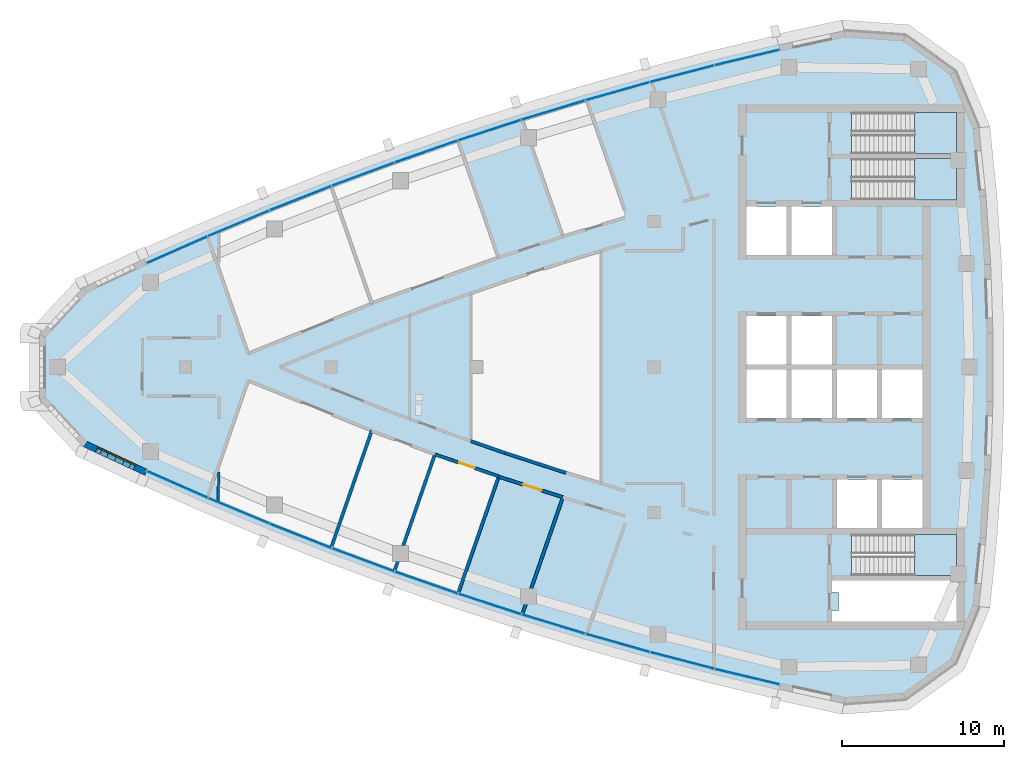
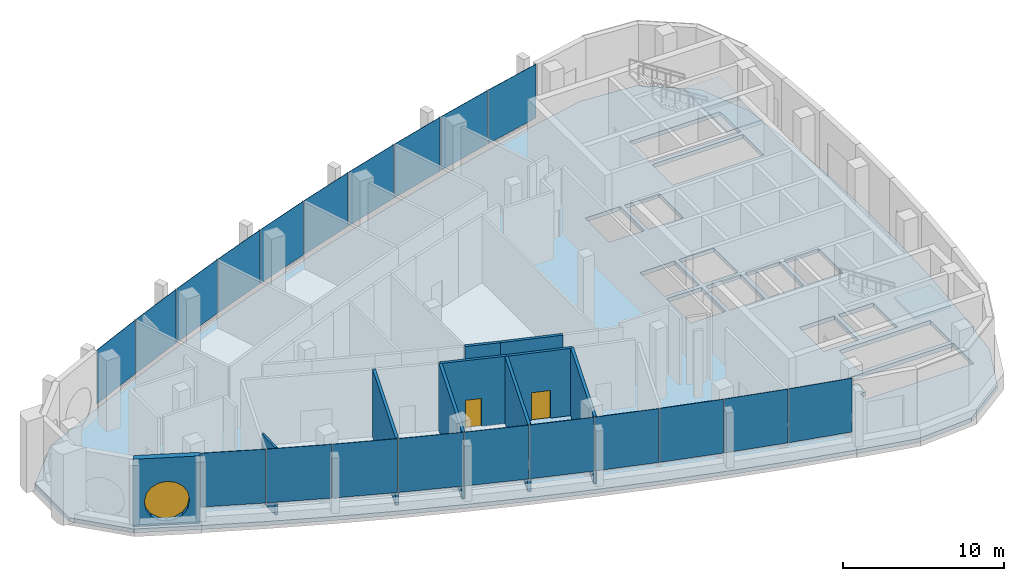
# One storey, part 6 of 15: 20 plates, 10 walls, 4 slabs, 2 doors, 1 window, 4 openings, 13 elements without a shape of their own.
"""IFC4 building model written with IfcOpenShell, lengths in metres."""

from ifc_helpers import new_model, si_unit, direction, frame, frame_2d, origin, origin_2d, place, context, subcontext, project, spatial, polyline, rectangle, outline, extrude, material, layer, layer_set, type_object, element, fill, aggregate, save


model = new_model("IFC4")

# Units and contexts
model_context = context("Model", 3, precision=1e-05, world=origin(), true_north=direction((0.0, 1.0)))
body_context = subcontext(model_context, "Body", "Model", "MODEL_VIEW")
ifc_project = project(units=[si_unit("LENGTHUNIT", "METRE"), si_unit("AREAUNIT", "SQUARE_METRE"), si_unit("VOLUMEUNIT", "CUBIC_METRE"), si_unit("PLANEANGLEUNIT", "RADIAN"), si_unit("MASSUNIT", "GRAM", prefix="KILO")], contexts=[model_context])

# Site, building, storey
site_placement = place(None, origin())
site = spatial("IfcSite", under=ifc_project, at=site_placement, CompositionType="ELEMENT")
building_placement = place(site_placement, origin())
building = spatial("IfcBuilding", under=site, at=building_placement, Name="Ostrand Prow Hotel Tower", CompositionType="ELEMENT")
storey_placement = place(building_placement, frame((0.0, 0.0, 313.199951171875)))
storey = spatial("IfcBuildingStorey", under=building, at=storey_placement, Name="C2", CompositionType="ELEMENT", Elevation=313.199951171875)

# Curtain wall, plates
ifc_material_1 = material(Name="Insulated glass in bronze anodised frame", Category="glass")
ifc_layer_1 = layer(ifc_material_1, 0.199951171875)
ifc_layer_set_1 = layer_set([ifc_layer_1], Name="Insulated glass in bronze anodised frame")
curtain_wall_type = type_object("IfcCurtainWallType", Name="Observation and restaurant glazing wall", PredefinedType="NOTDEFINED", material=ifc_layer_set_1)
curtain_wall_1_placement = place(storey_placement, origin())
curtain_wall_1 = element("IfcCurtainWall", 1, at=curtain_wall_1_placement, inside=storey, type_object=curtain_wall_type, Name="CW6 run CWS1", PredefinedType="NOTDEFINED")
ifc_material_2 = material(Name="Low-iron clear glass", Category="glass")
ifc_layer_2 = layer(ifc_material_2, 0.031982421875)
ifc_layer_set_2 = layer_set([ifc_layer_2], Name="Low-iron clear glass")
plate_type = type_object("IfcPlateType", Name="Clear glass unit 32 mm", PredefinedType="CURTAIN_PANEL", material=ifc_layer_set_2)
plate_1_placement = place(storey_placement, frame((15.493408203125, -7.259765625, 1.02001953125), z_axis=(0.0, 0.0, 1.0), x_axis=(0.914785615941, -0.403939694592, 0.0)))
plate_1 = element("IfcPlate", 2, at=plate_1_placement, type_object=plate_type, Name="CW6 PN-C panel 1.2", PredefinedType="CURTAIN_PANEL", context=body_context, shape_type="SweptSolid", body=[
    extrude(rectangle(XDim=4.079833984375, YDim=0.031982421875, at=origin_2d()), origin(), (0.0, 0.0, 1.0), 4.080078125),
])
plate_2_placement = place(storey_placement, frame((19.297119140625, -8.893798828125, 1.02001953125), z_axis=(0.0, 0.0, 1.0), x_axis=(0.922719840955, -0.385471263659, 0.0)))
plate_2 = element("IfcPlate", 3, at=plate_2_placement, type_object=plate_type, Name="CW6 PN-C panel 2.2", PredefinedType="CURTAIN_PANEL", context=body_context, shape_type="SweptSolid", body=[
    extrude(rectangle(XDim=4.079833984375, YDim=0.031982421875, at=origin_2d()), origin(), (0.0, 0.0, 1.0), 4.080078125),
])
aggregate(curtain_wall_1, [plate_1, plate_2])

curtain_wall_2_placement = place(storey_placement, origin())
curtain_wall_2 = element("IfcCurtainWall", 4, at=curtain_wall_2_placement, inside=storey, type_object=curtain_wall_type, Name="CW6 run CWS2", PredefinedType="NOTDEFINED")
plate_3_placement = place(storey_placement, frame((23.132568359375, -10.450927734375, 1.02001953125), z_axis=(0.0, 0.0, 1.0), x_axis=(0.930281895249, -0.366845465248, 0.0)))
plate_3 = element("IfcPlate", 5, at=plate_3_placement, type_object=plate_type, Name="CW6 PN-C panel 1.2", PredefinedType="CURTAIN_PANEL", context=body_context, shape_type="SweptSolid", body=[
    extrude(rectangle(XDim=4.079833984375, YDim=0.031982421875, at=origin_2d()), origin(), (0.0, 0.0, 1.0), 4.080078125),
])
plate_4_placement = place(storey_placement, frame((26.99853515625, -11.930908203125, 1.02001953125), z_axis=(0.0, 0.0, 1.0), x_axis=(0.937468017947, -0.348071422738, 0.0)))
plate_4 = element("IfcPlate", 6, at=plate_4_placement, type_object=plate_type, Name="CW6 PN-C panel 2.2", PredefinedType="CURTAIN_PANEL", context=body_context, shape_type="SweptSolid", body=[
    extrude(rectangle(XDim=4.079833984375, YDim=0.031982421875, at=origin_2d()), origin(), (0.0, 0.0, 1.0), 4.080078125),
])
aggregate(curtain_wall_2, [plate_3, plate_4])

curtain_wall_3_placement = place(storey_placement, origin())
curtain_wall_3 = element("IfcCurtainWall", 7, at=curtain_wall_3_placement, inside=storey, type_object=curtain_wall_type, Name="CW6 run CWS3", PredefinedType="NOTDEFINED")
plate_5_placement = place(storey_placement, frame((30.8935546875, -13.33251953125, 1.02001953125), z_axis=(0.0, 0.0, 1.0), x_axis=(0.944274730614, -0.329158370885, 0.0)))
plate_5 = element("IfcPlate", 8, at=plate_5_placement, type_object=plate_type, Name="CW6 PN-C panel 1.2", PredefinedType="CURTAIN_PANEL", context=body_context, shape_type="SweptSolid", body=[
    extrude(rectangle(XDim=4.079833984375, YDim=0.031982421875, at=origin_2d()), origin(), (0.0, 0.0, 1.0), 4.080078125),
])
plate_6_placement = place(storey_placement, frame((34.81591796875, -14.65576171875, 1.02001953125), z_axis=(0.0, 0.0, 1.0), x_axis=(0.950700464612, -0.310110668289, 0.0)))
plate_6 = element("IfcPlate", 9, at=plate_6_placement, type_object=plate_type, Name="CW6 PN-C panel 2.2", PredefinedType="CURTAIN_PANEL", context=body_context, shape_type="SweptSolid", body=[
    extrude(rectangle(XDim=4.079833984375, YDim=0.031982421875, at=origin_2d()), origin(), (0.0, 0.0, 1.0), 4.080078125),
])
aggregate(curtain_wall_3, [plate_5, plate_6])

curtain_wall_4_placement = place(storey_placement, origin())
curtain_wall_4 = element("IfcCurtainWall", 10, at=curtain_wall_4_placement, inside=storey, type_object=curtain_wall_type, Name="CW6 run CWS4", PredefinedType="NOTDEFINED")
plate_7_placement = place(storey_placement, frame((38.76416015625, -15.89990234375, 1.02001953125), z_axis=(0.0, 0.0, 1.0), x_axis=(0.956742015769, -0.290937648411, 0.0)))
plate_7 = element("IfcPlate", 11, at=plate_7_placement, type_object=plate_type, Name="CW6 PN-C panel 1.2", PredefinedType="CURTAIN_PANEL", context=body_context, shape_type="SweptSolid", body=[
    extrude(rectangle(XDim=4.079833984375, YDim=0.031982421875, at=origin_2d()), origin(), (0.0, 0.0, 1.0), 4.080078125),
])
plate_8_placement = place(storey_placement, frame((42.736572265625, -17.064453125, 1.02001953125), z_axis=(0.0, 0.0, 1.0), x_axis=(0.962396468548, -0.271648738865, 0.0)))
plate_8 = element("IfcPlate", 12, at=plate_8_placement, type_object=plate_type, Name="CW6 PN-C panel 2.2", PredefinedType="CURTAIN_PANEL", context=body_context, shape_type="SweptSolid", body=[
    extrude(rectangle(XDim=4.079833984375, YDim=0.031982421875, at=origin_2d()), origin(), (0.0, 0.0, 1.0), 4.080078125),
])
aggregate(curtain_wall_4, [plate_7, plate_8])

curtain_wall_5_placement = place(storey_placement, origin())
curtain_wall_5 = element("IfcCurtainWall", 13, at=curtain_wall_5_placement, inside=storey, type_object=curtain_wall_type, Name="CW6 run CWS5", PredefinedType="NOTDEFINED")
plate_9_placement = place(storey_placement, frame((46.731689453125, -18.148681640625, 1.02001953125), z_axis=(0.0, 0.0, 1.0), x_axis=(0.967662519855, -0.252248384867, 0.0)))
plate_9 = element("IfcPlate", 14, at=plate_9_placement, type_object=plate_type, Name="CW6 PN-C panel 1.2", PredefinedType="CURTAIN_PANEL", context=body_context, shape_type="SweptSolid", body=[
    extrude(rectangle(XDim=4.079833984375, YDim=0.031982421875, at=origin_2d()), origin(), (0.0, 0.0, 1.0), 4.080078125),
])
plate_10_placement = place(storey_placement, frame((50.74755859375, -19.152587890625, 1.02001953125), z_axis=(0.0, 0.0, 1.0), x_axis=(0.972537533869, -0.232746096028, 0.0)))
plate_10 = element("IfcPlate", 15, at=plate_10_placement, type_object=plate_type, Name="CW6 PN-C panel 2.2", PredefinedType="CURTAIN_PANEL", context=body_context, shape_type="SweptSolid", body=[
    extrude(rectangle(XDim=4.079833984375, YDim=0.031982421875, at=origin_2d()), origin(), (0.0, 0.0, 1.0), 4.080078125),
])
aggregate(curtain_wall_5, [plate_9, plate_10])

curtain_wall_6_placement = place(storey_placement, origin())
curtain_wall_6 = element("IfcCurtainWall", 16, at=curtain_wall_6_placement, inside=storey, type_object=curtain_wall_type, Name="CW6 run CWN1", PredefinedType="NOTDEFINED")
plate_11_placement = place(storey_placement, frame((50.74755859375, 19.152587890625, 1.02001953125), z_axis=(0.0, 0.0, 1.0), x_axis=(-0.972537533869, -0.232746096028, 0.0)))
plate_11 = element("IfcPlate", 17, at=plate_11_placement, type_object=plate_type, Name="CW6 PN-C panel 1.2", PredefinedType="CURTAIN_PANEL", context=body_context, shape_type="SweptSolid", body=[
    extrude(rectangle(XDim=4.079833984375, YDim=0.031982421875, at=origin_2d()), origin(), (0.0, 0.0, 1.0), 4.080078125),
])
plate_12_placement = place(storey_placement, frame((46.731689453125, 18.148681640625, 1.02001953125), z_axis=(0.0, 0.0, 1.0), x_axis=(-0.967662519855, -0.252248384867, 0.0)))
plate_12 = element("IfcPlate", 18, at=plate_12_placement, type_object=plate_type, Name="CW6 PN-C panel 2.2", PredefinedType="CURTAIN_PANEL", context=body_context, shape_type="SweptSolid", body=[
    extrude(rectangle(XDim=4.079833984375, YDim=0.031982421875, at=origin_2d()), origin(), (0.0, 0.0, 1.0), 4.080078125),
])
aggregate(curtain_wall_6, [plate_11, plate_12])

curtain_wall_7_placement = place(storey_placement, origin())
curtain_wall_7 = element("IfcCurtainWall", 19, at=curtain_wall_7_placement, inside=storey, type_object=curtain_wall_type, Name="CW6 run CWN2", PredefinedType="NOTDEFINED")
plate_13_placement = place(storey_placement, frame((42.736572265625, 17.064453125, 1.02001953125), z_axis=(0.0, 0.0, 1.0), x_axis=(-0.962396468548, -0.271648738865, 0.0)))
plate_13 = element("IfcPlate", 20, at=plate_13_placement, type_object=plate_type, Name="CW6 PN-C panel 1.2", PredefinedType="CURTAIN_PANEL", context=body_context, shape_type="SweptSolid", body=[
    extrude(rectangle(XDim=4.079833984375, YDim=0.031982421875, at=origin_2d()), origin(), (0.0, 0.0, 1.0), 4.080078125),
])
plate_14_placement = place(storey_placement, frame((38.76416015625, 15.89990234375, 1.02001953125), z_axis=(0.0, 0.0, 1.0), x_axis=(-0.956742015769, -0.290937648411, 0.0)))
plate_14 = element("IfcPlate", 21, at=plate_14_placement, type_object=plate_type, Name="CW6 PN-C panel 2.2", PredefinedType="CURTAIN_PANEL", context=body_context, shape_type="SweptSolid", body=[
    extrude(rectangle(XDim=4.079833984375, YDim=0.031982421875, at=origin_2d()), origin(), (0.0, 0.0, 1.0), 4.080078125),
])
aggregate(curtain_wall_7, [plate_13, plate_14])

curtain_wall_8_placement = place(storey_placement, origin())
curtain_wall_8 = element("IfcCurtainWall", 22, at=curtain_wall_8_placement, inside=storey, type_object=curtain_wall_type, Name="CW6 run CWN3", PredefinedType="NOTDEFINED")
plate_15_placement = place(storey_placement, frame((34.81591796875, 14.65576171875, 1.02001953125), z_axis=(0.0, 0.0, 1.0), x_axis=(-0.950700464612, -0.310110668289, 0.0)))
plate_15 = element("IfcPlate", 23, at=plate_15_placement, type_object=plate_type, Name="CW6 PN-C panel 1.2", PredefinedType="CURTAIN_PANEL", context=body_context, shape_type="SweptSolid", body=[
    extrude(rectangle(XDim=4.079833984375, YDim=0.031982421875, at=origin_2d()), origin(), (0.0, 0.0, 1.0), 4.080078125),
])
plate_16_placement = place(storey_placement, frame((30.8935546875, 13.33251953125, 1.02001953125), z_axis=(0.0, 0.0, 1.0), x_axis=(-0.944274730614, -0.329158370885, 0.0)))
plate_16 = element("IfcPlate", 24, at=plate_16_placement, type_object=plate_type, Name="CW6 PN-C panel 2.2", PredefinedType="CURTAIN_PANEL", context=body_context, shape_type="SweptSolid", body=[
    extrude(rectangle(XDim=4.079833984375, YDim=0.031982421875, at=origin_2d()), origin(), (0.0, 0.0, 1.0), 4.080078125),
])
aggregate(curtain_wall_8, [plate_15, plate_16])

curtain_wall_9_placement = place(storey_placement, origin())
curtain_wall_9 = element("IfcCurtainWall", 25, at=curtain_wall_9_placement, inside=storey, type_object=curtain_wall_type, Name="CW6 run CWN4", PredefinedType="NOTDEFINED")
plate_17_placement = place(storey_placement, frame((26.99853515625, 11.930908203125, 1.02001953125), z_axis=(0.0, 0.0, 1.0), x_axis=(-0.937468017947, -0.348071422738, 0.0)))
plate_17 = element("IfcPlate", 26, at=plate_17_placement, type_object=plate_type, Name="CW6 PN-C panel 1.2", PredefinedType="CURTAIN_PANEL", context=body_context, shape_type="SweptSolid", body=[
    extrude(rectangle(XDim=4.079833984375, YDim=0.031982421875, at=origin_2d()), origin(), (0.0, 0.0, 1.0), 4.080078125),
])
plate_18_placement = place(storey_placement, frame((23.132568359375, 10.450927734375, 1.02001953125), z_axis=(0.0, 0.0, 1.0), x_axis=(-0.930281895249, -0.366845465248, 0.0)))
plate_18 = element("IfcPlate", 27, at=plate_18_placement, type_object=plate_type, Name="CW6 PN-C panel 2.2", PredefinedType="CURTAIN_PANEL", context=body_context, shape_type="SweptSolid", body=[
    extrude(rectangle(XDim=4.079833984375, YDim=0.031982421875, at=origin_2d()), origin(), (0.0, 0.0, 1.0), 4.080078125),
])
aggregate(curtain_wall_9, [plate_17, plate_18])

curtain_wall_10_placement = place(storey_placement, origin())
curtain_wall_10 = element("IfcCurtainWall", 28, at=curtain_wall_10_placement, inside=storey, type_object=curtain_wall_type, Name="CW6 run CWN5", PredefinedType="NOTDEFINED")
plate_19_placement = place(storey_placement, frame((19.297119140625, 8.893798828125, 1.02001953125), z_axis=(0.0, 0.0, 1.0), x_axis=(-0.922719840955, -0.385471263659, 0.0)))
plate_19 = element("IfcPlate", 29, at=plate_19_placement, type_object=plate_type, Name="CW6 PN-C panel 1.2", PredefinedType="CURTAIN_PANEL", context=body_context, shape_type="SweptSolid", body=[
    extrude(rectangle(XDim=4.079833984375, YDim=0.031982421875, at=origin_2d()), origin(), (0.0, 0.0, 1.0), 4.080078125),
])
plate_20_placement = place(storey_placement, frame((15.493408203125, 7.259765625, 1.02001953125), z_axis=(0.0, 0.0, 1.0), x_axis=(-0.914785615941, -0.403939694592, 0.0)))
plate_20 = element("IfcPlate", 30, at=plate_20_placement, type_object=plate_type, Name="CW6 PN-C panel 2.2", PredefinedType="CURTAIN_PANEL", context=body_context, shape_type="SweptSolid", body=[
    extrude(rectangle(XDim=4.079833984375, YDim=0.031982421875, at=origin_2d()), origin(), (0.0, 0.0, 1.0), 4.080078125),
])
aggregate(curtain_wall_10, [plate_19, plate_20])

# Slab, opening
ifc_material_3 = material(Name="Concrete C40/50", Category="concrete")
ifc_layer_3 = layer(ifc_material_3, 0.300048828125)
ifc_layer_set_3 = layer_set([ifc_layer_3], Name="Concrete C40/50")
slab_type_1 = type_object("IfcSlabType", Name="PT flat plate 300 C40/50", PredefinedType="FLOOR", material=ifc_layer_set_3)
slab_1_placement = place(storey_placement, frame((0.0, 0.0, -0.300048828125)))
slab_1 = element("IfcSlab", 31, at=slab_1_placement, inside=storey, type_object=slab_type_1, Name="Floor slab C2-1", PredefinedType="FLOOR", context=body_context, shape_type="SweptSolid", body=[
    extrude(outline(polyline([(9.560791015625, 5.168212890625), (13.365478515625, 6.9404296875), (17.1630859375, 8.6171875), (20.993408203125, 10.21728515625), (24.855224609375, 11.740234375), (28.746826171875, 13.185302734375), (32.666748046875, 14.551513671875), (36.61328125, 15.8388671875), (40.5849609375, 17.046630859375), (44.580078125, 18.17431640625), (48.596923828125, 19.221435546875), (52.634033203125, 20.187744140625), (56.72265625, 21.07958984375), (60.634765625, 20.80029296875), (63.84765625, 18.49072265625), (65.35888671875, 14.87060546875), (65.796875, 10.611083984375), (66.0869140625, 6.37158203125), (66.23193359375, 2.124755859375), (66.23193359375, -2.124755859375), (66.0869140625, -6.37158203125), (65.796875, -10.611083984375), (65.35888671875, -14.87060546875), (63.84765625, -18.49072265625), (60.634765625, -20.80029296875), (56.72265625, -21.07958984375), (52.634033203125, -20.187744140625), (48.596923828125, -19.221435546875), (44.580078125, -18.17431640625), (40.5849609375, -17.046630859375), (36.61328125, -15.8388671875), (32.666748046875, -14.551513671875), (28.746826171875, -13.185302734375), (24.855224609375, -11.740234375), (20.993408203125, -10.21728515625), (17.1630859375, -8.6171875), (13.365478515625, -6.9404296875), (9.560791015625, -5.168212890625), (6.71484375, -2.112548828125), (6.71484375, 2.112548828125), (9.560791015625, 5.168212890625)]), holes=[polyline([(50.699951171875, 6.949951171875), (53.199951171875, 6.949951171875), (53.199951171875, 9.949951171875), (50.699951171875, 9.949951171875), (50.699951171875, 6.949951171875)]), polyline([(53.5, 6.949951171875), (56.0, 6.949951171875), (56.0, 9.949951171875), (53.5, 9.949951171875), (53.5, 6.949951171875)]), polyline([(50.699951171875, 0.14990234375), (53.199951171875, 0.14990234375), (53.199951171875, 3.14990234375), (50.699951171875, 3.14990234375), (50.699951171875, 0.14990234375)]), polyline([(53.5, 0.14990234375), (56.0, 0.14990234375), (56.0, 3.14990234375), (53.5, 3.14990234375), (53.5, 0.14990234375)]), polyline([(50.699951171875, -3.14990234375), (53.199951171875, -3.14990234375), (53.199951171875, -0.14990234375), (50.699951171875, -0.14990234375), (50.699951171875, -3.14990234375)]), polyline([(53.5, -3.14990234375), (56.0, -3.14990234375), (56.0, -0.14990234375), (53.5, -0.14990234375), (53.5, -3.14990234375)]), polyline([(56.300048828125, -3.14990234375), (58.800048828125, -3.14990234375), (58.800048828125, -0.14990234375), (56.300048828125, -0.14990234375), (56.300048828125, -3.14990234375)]), polyline([(59.10009765625, -3.14990234375), (61.60009765625, -3.14990234375), (61.60009765625, -0.14990234375), (59.10009765625, -0.14990234375), (59.10009765625, -3.14990234375)]), polyline([(56.300048828125, -9.949951171875), (58.800048828125, -9.949951171875), (58.800048828125, -6.949951171875), (56.300048828125, -6.949951171875), (56.300048828125, -9.949951171875)]), polyline([(59.10009765625, -9.949951171875), (61.60009765625, -9.949951171875), (61.60009765625, -6.949951171875), (59.10009765625, -6.949951171875), (59.10009765625, -9.949951171875)]), polyline([(57.200927734375, 10.35107421875), (57.200927734375, 12.89892578125), (63.718994140625, 12.89892578125), (63.718994140625, 10.35107421875), (57.200927734375, 10.35107421875)]), polyline([(57.200927734375, 13.200927734375), (57.200927734375, 15.7490234375), (63.718994140625, 15.7490234375), (63.718994140625, 13.200927734375), (57.200927734375, 13.200927734375)]), polyline([(57.200927734375, -12.89892578125), (57.200927734375, -10.35107421875), (63.718994140625, -10.35107421875), (63.718994140625, -12.89892578125), (57.200927734375, -12.89892578125)]), polyline([(56.0, -13.949951171875), (56.0, -13.199951171875), (63.719970703125, -13.199951171875), (63.719970703125, -15.75), (56.0, -15.75), (56.0, -15.050048828125), (56.39990234375, -15.050048828125), (56.39990234375, -13.949951171875), (56.0, -13.949951171875)])]), origin(), (0.0, 0.0, 1.0), 0.300048828125),
])
opening_1_placement = place(slab_1_placement, origin())
element("IfcOpeningElement", 32, at=opening_1_placement, cuts=slab_1, Name="Shaft opening 1", PredefinedType="OPENING", context=body_context, shape_type="SweptSolid", body=[
    extrude(outline(polyline([(56.0, -13.949951171875), (56.0, -13.199951171875), (63.719970703125, -13.199951171875), (63.719970703125, -15.75), (56.0, -15.75), (56.0, -15.050048828125), (56.39990234375, -15.050048828125), (56.39990234375, -13.949951171875), (56.0, -13.949951171875)])), origin(), (0.0, 0.0, 1.0), 0.300048828125),
])

# Stair, slab
ifc_material_4 = material(Name="Concrete C40/50", Category="concrete")
stair_type = type_object("IfcStairType", Name="Exit stair 1200 upper zone", PredefinedType="HALF_TURN_STAIR", material=ifc_material_4)
stair_1_placement = place(storey_placement, origin())
stair_1 = element("IfcStair", 33, at=stair_1_placement, inside=storey, type_object=stair_type, Name="C2 ST1C", PredefinedType="HALF_TURN_STAIR")
ifc_material_5 = material(Name="Concrete C40/50", Category="concrete")
ifc_layer_4 = layer(ifc_material_5, 0.199951171875)
ifc_layer_set_4 = layer_set([ifc_layer_4], Name="Concrete C40/50")
slab_type_2 = type_object("IfcSlabType", Name="Stair landing 200 concrete", PredefinedType="LANDING", material=ifc_layer_set_4)
slab_2_placement = place(storey_placement, frame((0.0, 0.0, 2.5)))
slab_2 = element("IfcSlab", 34, at=slab_2_placement, type_object=slab_type_2, Name="ST1C landing 1", PredefinedType="LANDING", context=body_context, shape_type="SweptSolid", body=[
    extrude(outline(polyline([(61.1201171875, 10.35009765625), (63.719970703125, 10.35009765625), (63.719970703125, 12.89990234375), (61.1201171875, 12.89990234375), (61.1201171875, 10.35009765625)])), origin(), (0.0, 0.0, 1.0), 0.199951171875),
])
aggregate(stair_1, [slab_2])

stair_2_placement = place(storey_placement, origin())
stair_2 = element("IfcStair", 35, at=stair_2_placement, inside=storey, type_object=stair_type, Name="C2 ST3C", PredefinedType="HALF_TURN_STAIR")
slab_3_placement = place(storey_placement, frame((0.0, 0.0, 2.5)))
slab_3 = element("IfcSlab", 36, at=slab_3_placement, type_object=slab_type_2, Name="ST3C landing 1", PredefinedType="LANDING", context=body_context, shape_type="SweptSolid", body=[
    extrude(outline(polyline([(61.1201171875, 13.199951171875), (63.719970703125, 13.199951171875), (63.719970703125, 15.75), (61.1201171875, 15.75), (61.1201171875, 13.199951171875)])), origin(), (0.0, 0.0, 1.0), 0.199951171875),
])
aggregate(stair_2, [slab_3])

stair_3_placement = place(storey_placement, origin())
stair_3 = element("IfcStair", 37, at=stair_3_placement, inside=storey, type_object=stair_type, Name="C2 ST2C", PredefinedType="HALF_TURN_STAIR")
slab_4_placement = place(storey_placement, frame((0.0, 0.0, 2.5)))
slab_4 = element("IfcSlab", 38, at=slab_4_placement, type_object=slab_type_2, Name="ST2C landing 1", PredefinedType="LANDING", context=body_context, shape_type="SweptSolid", body=[
    extrude(outline(polyline([(61.1201171875, -12.89990234375), (63.719970703125, -12.89990234375), (63.719970703125, -10.35009765625), (61.1201171875, -10.35009765625), (61.1201171875, -12.89990234375)])), origin(), (0.0, 0.0, 1.0), 0.199951171875),
])
aggregate(stair_3, [slab_4])

# Wall
ifc_material_6 = material(Name="Plasterboard partition")
ifc_layer_5 = layer(ifc_material_6, 0.14990234375)
ifc_layer_set_5 = layer_set([ifc_layer_5], Name="Plasterboard partition")
wall_type_1 = type_object("IfcWallType", Name="Partition 150 room partition", PredefinedType="PARTITIONING", material=ifc_layer_set_5)
wall_1_placement = place(storey_placement, frame((18.071533203125, -6.51123046875, 0.0), z_axis=(0.0, 0.0, 1.0), x_axis=(-0.031386501995, -0.999507322381, 0.0)))
element("IfcWall", 39, at=wall_1_placement, inside=storey, type_object=wall_type_1, Name="ROOM PARTITION", PredefinedType="PARTITIONING", context=body_context, shape_type="SweptSolid", body=[
    extrude(rectangle(XDim=1.758056640625, YDim=0.14990234375, at=frame_2d((0.87890625, 0.0))), origin(), (0.0, 0.0, 1.0), 5.10009765625),
])

# Wall, opening, door
ifc_material_7 = material(Name="Plasterboard partition")
ifc_layer_6 = layer(ifc_material_7, 0.199951171875)
ifc_layer_set_6 = layer_set([ifc_layer_6], Name="Plasterboard partition")
wall_type_2 = type_object("IfcWallType", Name="Partition 200 corridor wall", PredefinedType="PARTITIONING", material=ifc_layer_set_6)
wall_2_placement = place(storey_placement, frame((31.43408203125, -5.404052734375, 0.0), z_axis=(0.0, 0.0, 1.0), x_axis=(0.945814630363, -0.324707075672, 0.0)))
wall_2 = element("IfcWall", 40, at=wall_2_placement, inside=storey, type_object=wall_type_2, Name="CORRIDOR WALL", PredefinedType="PARTITIONING", context=body_context, shape_type="SweptSolid", body=[
    extrude(rectangle(XDim=4.17431640625, YDim=0.199951171875, at=frame_2d((2.087158203125, 0.0))), origin(), (0.0, 0.0, 1.0), 5.10009765625),
])
opening_2_placement = place(wall_2_placement, frame((1.587158203125, 0.0, 0.0)))
opening_2 = element("IfcOpeningElement", 41, at=opening_2_placement, cuts=wall_2, Name="Opening D1R", PredefinedType="OPENING", context=body_context, shape_type="SweptSolid", body=[
    extrude(rectangle(XDim=1.0, YDim=2.10009765625, at=frame_2d((0.5, 1.050048828125))), frame((0.0, 0.10986328125, 0.0), z_axis=(0.0, -1.0, 0.0), x_axis=(1.0, 0.0, 0.0)), (0.0, 0.0, 1.0), 0.219970703125),
])
ifc_material_8 = material(Name="Timber door leaf", Category="wood")
door_type_1 = type_object("IfcDoorType", Name="Guest room door 1000 right", OperationType="SINGLE_SWING_RIGHT", PredefinedType="DOOR", material=ifc_material_8)
door_1_placement = place(opening_2_placement, origin())
door_1 = element("IfcDoor", 42, at=door_1_placement, inside=storey, type_object=door_type_1, Name="DOOR", OperationType="SINGLE_SWING_RIGHT", OverallHeight=2.10009765625, OverallWidth=1.0, PredefinedType="DOOR", context=body_context, shape_type="SweptSolid", body=[
    extrude(rectangle(XDim=1.0, YDim=2.10009765625, at=frame_2d((0.5, 1.050048828125))), frame((0.0, 0.02490234375, 0.0), z_axis=(0.0, -1.0, 0.0), x_axis=(1.0, 0.0, 0.0)), (0.0, 0.0, 1.0), 0.050048828125),
])
fill(opening_2, door_1)

wall_3_placement = place(storey_placement, frame((35.375732421875, -6.778564453125, 0.0), z_axis=(0.0, 0.0, 1.0), x_axis=(0.952572699992, -0.304311109278, 0.0)))
wall_3 = element("IfcWall", 43, at=wall_3_placement, inside=storey, type_object=wall_type_2, Name="CORRIDOR WALL", PredefinedType="PARTITIONING", context=body_context, shape_type="SweptSolid", body=[
    extrude(rectangle(XDim=4.17578125, YDim=0.199951171875, at=frame_2d((2.087890625, 0.0))), origin(), (0.0, 0.0, 1.0), 5.10009765625),
])
opening_3_placement = place(wall_3_placement, frame((1.587890625, 0.0, 0.0)))
opening_3 = element("IfcOpeningElement", 44, at=opening_3_placement, cuts=wall_3, Name="Opening D12", PredefinedType="OPENING", context=body_context, shape_type="SweptSolid", body=[
    extrude(rectangle(XDim=1.199951171875, YDim=2.10009765625, at=frame_2d((0.60009765625, 1.050048828125))), frame((0.0, 0.10986328125, 0.0), z_axis=(0.0, -1.0, 0.0), x_axis=(1.0, 0.0, 0.0)), (0.0, 0.0, 1.0), 0.219970703125),
])
ifc_material_9 = material(Name="Steel service door", Category="steel")
door_type_2 = type_object("IfcDoorType", Name="Service door 1200", OperationType="SINGLE_SWING_RIGHT", PredefinedType="DOOR", material=ifc_material_9)
door_2_placement = place(opening_3_placement, origin())
door_2 = element("IfcDoor", 45, at=door_2_placement, inside=storey, type_object=door_type_2, Name="DOOR", OperationType="SINGLE_SWING_RIGHT", OverallHeight=2.10009765625, OverallWidth=1.199951171875, PredefinedType="DOOR", context=body_context, shape_type="SweptSolid", body=[
    extrude(rectangle(XDim=1.199951171875, YDim=2.10009765625, at=frame_2d((0.60009765625, 1.050048828125))), frame((0.0, 0.02490234375, 0.0), z_axis=(0.0, -1.0, 0.0), x_axis=(1.0, 0.0, 0.0)), (0.0, 0.0, 1.0), 0.050048828125),
])
fill(opening_3, door_2)

# Walls
wall_4_placement = place(storey_placement, frame((39.543701171875, -6.539306640625, 0.0), z_axis=(0.0, 0.0, 1.0), x_axis=(-0.950700567571, 0.310110352648, 0.0)))
element("IfcWall", 46, at=wall_4_placement, inside=storey, type_object=wall_type_2, Name="CORRIDOR WALL", PredefinedType="PARTITIONING", context=body_context, shape_type="SweptSolid", body=[
    extrude(rectangle(XDim=3.955322265625, YDim=0.199951171875, at=frame_2d((1.9775390625, 0.0))), origin(), (0.0, 0.0, 1.0), 5.10009765625),
])
wall_5_placement = place(storey_placement, frame((35.783447265625, -5.312744140625, 0.0), z_axis=(0.0, 0.0, 1.0), x_axis=(-0.944267445695, 0.329179268788, 0.0)))
element("IfcWall", 47, at=wall_5_placement, inside=storey, type_object=wall_type_2, Name="CORRIDOR WALL", PredefinedType="PARTITIONING", context=body_context, shape_type="SweptSolid", body=[
    extrude(rectangle(XDim=2.2568359375, YDim=0.199951171875, at=frame_2d((1.12841796875, 0.0))), origin(), (0.0, 0.0, 1.0), 5.10009765625),
])
ifc_material_10 = material(Name="Plasterboard partition")
ifc_layer_7 = layer(ifc_material_10, 0.199951171875)
ifc_layer_set_7 = layer_set([ifc_layer_7], Name="Plasterboard partition")
wall_type_3 = type_object("IfcWallType", Name="Partition 200 key partition", PredefinedType="PARTITIONING", material=ifc_layer_set_7)
wall_6_placement = place(storey_placement, frame((25.03759765625, -11.113525390625, 0.0), z_axis=(0.0, 0.0, 1.0), x_axis=(0.327730022722, 0.944771417966, 0.0)))
element("IfcWall", 48, at=wall_6_placement, inside=storey, type_object=wall_type_3, Name="KEY PARTITION", PredefinedType="PARTITIONING", context=body_context, shape_type="SweptSolid", body=[
    extrude(rectangle(XDim=7.606689453125, YDim=0.199951171875, at=frame_2d((3.80322265625, 0.0))), origin(), (0.0, 0.0, 1.0), 5.10009765625),
])
wall_7_placement = place(storey_placement, frame((28.949462890625, -12.567138671875, 0.0), z_axis=(0.0, 0.0, 1.0), x_axis=(0.327746961166, 0.944765542051, 0.0)))
element("IfcWall", 49, at=wall_7_placement, inside=storey, type_object=wall_type_3, Name="KEY PARTITION", PredefinedType="PARTITIONING", context=body_context, shape_type="SweptSolid", body=[
    extrude(rectangle(XDim=7.601806640625, YDim=0.199951171875, at=frame_2d((3.80078125, 0.0))), origin(), (0.0, 0.0, 1.0), 5.10009765625),
])
wall_8_placement = place(storey_placement, frame((32.891357421875, -13.941162109375, 0.0), z_axis=(0.0, 0.0, 1.0), x_axis=(0.327699570064, 0.944781981083, 0.0)))
element("IfcWall", 50, at=wall_8_placement, inside=storey, type_object=wall_type_3, Name="KEY PARTITION", PredefinedType="PARTITIONING", context=body_context, shape_type="SweptSolid", body=[
    extrude(rectangle(XDim=7.601318359375, YDim=0.199951171875, at=frame_2d((3.80078125, 0.0))), origin(), (0.0, 0.0, 1.0), 5.10009765625),
])
wall_9_placement = place(storey_placement, frame((36.86083984375, -15.23486328125, 0.0), z_axis=(0.0, 0.0, 1.0), x_axis=(0.327741126954, 0.944767565967, 0.0)))
element("IfcWall", 51, at=wall_9_placement, inside=storey, type_object=wall_type_3, Name="KEY PARTITION", PredefinedType="PARTITIONING", context=body_context, shape_type="SweptSolid", body=[
    extrude(rectangle(XDim=7.605712890625, YDim=0.199951171875, at=frame_2d((3.802734375, 0.0))), origin(), (0.0, 0.0, 1.0), 5.10009765625),
])

# Wall, opening, window
ifc_material_11 = material(Name="Precast concrete C40/50", Category="concrete")
ifc_layer_8 = layer(ifc_material_11, 0.39990234375)
ifc_layer_set_8 = layer_set([ifc_layer_8], Name="Precast concrete C40/50")
wall_type_4 = type_object("IfcWallType", Name="Stone-faced precast wall 400 mm", PredefinedType="NOTDEFINED", material=ifc_layer_set_8)
wall_10_placement = place(storey_placement, frame((9.80419921875, -4.765869140625, 0.0), z_axis=(0.0, 0.0, 1.0), x_axis=(0.906485602396, -0.42223672584, 0.0)))
wall_10 = element("IfcWall", 52, at=wall_10_placement, inside=storey, type_object=wall_type_4, Name="Stone-faced wall prow 5", PredefinedType="NOTDEFINED", context=body_context, shape_type="SweptSolid", body=[
    extrude(outline(polyline([(-0.0390625, -0.199951171875), (4.1416015625, -0.199951171875), (4.1416015625, 0.199951171875), (0.0390625, 0.199951171875), (-0.0390625, -0.199951171875)])), origin(), (0.0, 0.0, 1.0), 5.10009765625),
])
opening_4_placement = place(wall_10_placement, frame((0.6708984375, 0.0, 0.300048828125)))
opening_4 = element("IfcOpeningElement", 53, at=opening_4_placement, cuts=wall_10, Name="Opening WO1", PredefinedType="OPENING", context=body_context, shape_type="SweptSolid", body=[
    extrude(outline(polyline([(0.0, 1.60009765625), (0.106689453125, 2.1357421875), (0.41015625, 2.58984375), (0.8642578125, 2.893310546875), (1.39990234375, 3.0), (1.935791015625, 2.893310546875), (2.389892578125, 2.58984375), (2.693359375, 2.1357421875), (2.800048828125, 1.60009765625), (2.800048828125, 1.39990234375), (2.693359375, 0.8642578125), (2.389892578125, 0.41015625), (1.935791015625, 0.106689453125), (1.39990234375, 0.0), (0.8642578125, 0.106689453125), (0.41015625, 0.41015625), (0.106689453125, 0.8642578125), (0.0, 1.39990234375), (0.0, 1.60009765625)])), frame((0.0, 0.2099609375, 0.0), z_axis=(0.0, -1.0, 0.0), x_axis=(1.0, 0.0, 0.0)), (0.0, 0.0, 1.0), 0.419921875),
])
ifc_material_12 = material(Name="Insulated glass in bronze frame", Category="glass")
window_type = type_object("IfcWindowType", Name="Observation deck prow window 2800x3000", PartitioningType="SINGLE_PANEL", PredefinedType="WINDOW", material=ifc_material_12)
window_placement = place(opening_4_placement, origin())
window = element("IfcWindow", 54, at=window_placement, inside=storey, type_object=window_type, Name="Window prow 5.1", OverallHeight=3.0, OverallWidth=2.800048828125, PartitioningType="SINGLE_PANEL", PredefinedType="WINDOW", context=body_context, shape_type="SweptSolid", body=[
    extrude(outline(polyline([(0.0, 1.60009765625), (0.106689453125, 2.1357421875), (0.41015625, 2.58984375), (0.8642578125, 2.893310546875), (1.39990234375, 3.0), (1.935791015625, 2.893310546875), (2.389892578125, 2.58984375), (2.693359375, 2.1357421875), (2.800048828125, 1.60009765625), (2.800048828125, 1.39990234375), (2.693359375, 0.8642578125), (2.389892578125, 0.41015625), (1.935791015625, 0.106689453125), (1.39990234375, 0.0), (0.8642578125, 0.106689453125), (0.41015625, 0.41015625), (0.106689453125, 0.8642578125), (0.0, 1.39990234375), (0.0, 1.60009765625)])), frame((0.0, 0.169921875, 0.0), z_axis=(0.0, -1.0, 0.0), x_axis=(1.0, 0.0, 0.0)), (0.0, 0.0, 1.0), 0.06005859375),
])
fill(opening_4, window)

save(model, "model.ifc")
